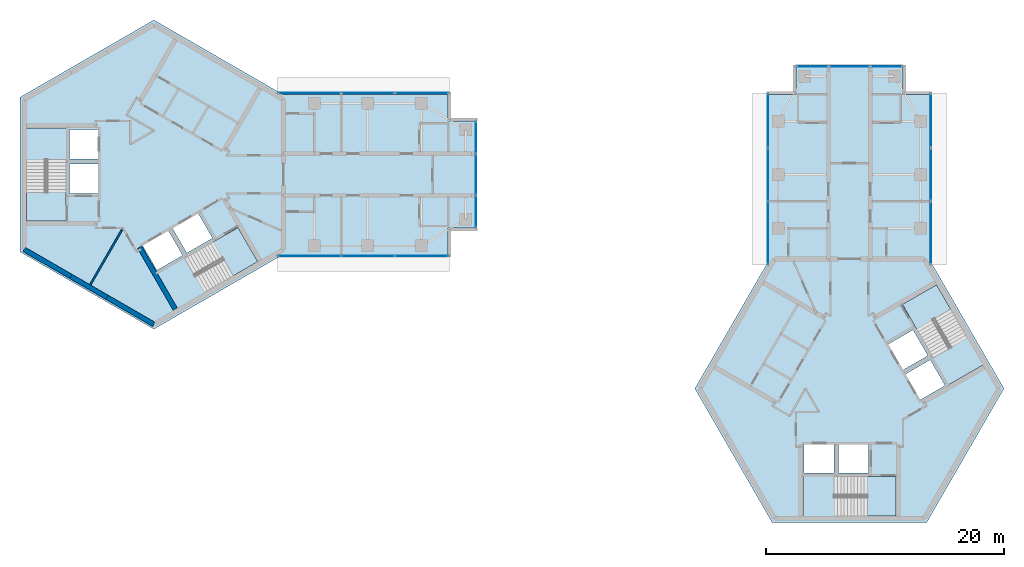
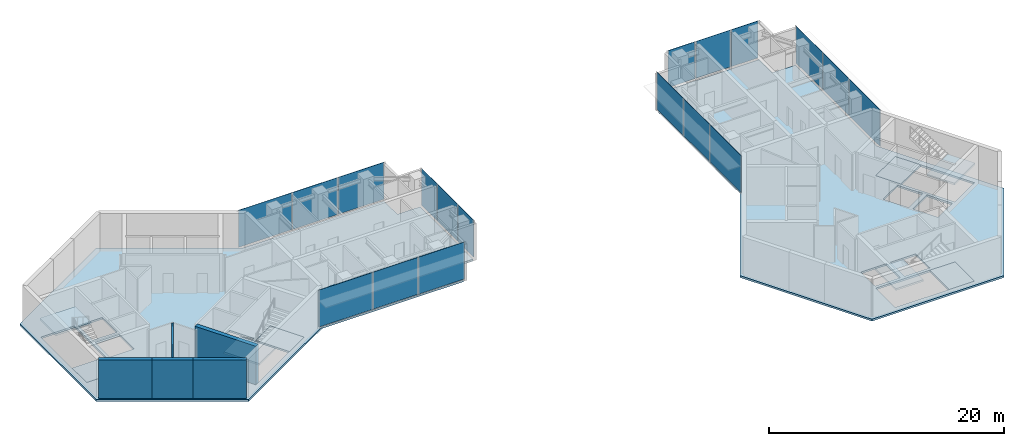
# One storey, part 4 of 11: 18 plates, 10 slabs, 5 walls, 10 elements without a shape of their own.
"""IFC4 building model written with IfcOpenShell, lengths in metres."""

from ifc_helpers import new_model, si_unit, direction, frame, frame_2d, origin, origin_2d, place, context, subcontext, project, spatial, polyline, rectangle, outline, extrude, material, layer, layer_set, type_object, element, aggregate, save


model = new_model("IFC4")

# Units and contexts
model_context = context("Model", 3, precision=1e-05, world=origin(), true_north=direction((0.0, 1.0)))
body_context = subcontext(model_context, "Body", "Model", "MODEL_VIEW")
ifc_project = project(units=[si_unit("LENGTHUNIT", "METRE"), si_unit("AREAUNIT", "SQUARE_METRE"), si_unit("VOLUMEUNIT", "CUBIC_METRE"), si_unit("PLANEANGLEUNIT", "RADIAN"), si_unit("MASSUNIT", "GRAM", prefix="KILO")], contexts=[model_context])

# Site, building, storey
site_placement = place(None, origin())
site = spatial("IfcSite", under=ifc_project, at=site_placement, CompositionType="ELEMENT")
building_placement = place(site_placement, origin())
building = spatial("IfcBuilding", under=site, at=building_placement, Name="Upepo Twin Towers", CompositionType="ELEMENT")
storey_placement = place(building_placement, frame((0.0, 0.0, 251.5)))
storey = spatial("IfcBuildingStorey", under=building, at=storey_placement, Name="L61", CompositionType="ELEMENT", Elevation=251.5)

# Curtain wall, plates
ifc_material_1 = material(Name="Aluminium and fritted glass", Category="aluminium")
curtain_wall_type = type_object("IfcCurtainWallType", Name="Tower curtain wall TW4, fritted glass", PredefinedType="NOTDEFINED", material=ifc_material_1)
curtain_wall_1_placement = place(storey_placement, origin())
curtain_wall_1 = element("IfcCurtainWall", 1, at=curtain_wall_1_placement, inside=storey, type_object=curtain_wall_type, Name="T1 L61 wing A flank L curtain wall", PredefinedType="NOTDEFINED")
ifc_material_2 = material(Name="Ceramic-fritted laminated glass", Category="glass")
ifc_layer_1 = layer(ifc_material_2, 0.031982421875)
ifc_layer_set_1 = layer_set([ifc_layer_1], Name="Fritted glass panel, 65 per cent dot frit, 32 mm double glazed")
plate_type_1 = type_object("IfcPlateType", Name="Fritted glass panel, 65 per cent dot frit, 32 mm double glazed", PredefinedType="CURTAIN_PANEL", material=ifc_layer_set_1)
plate_1_placement = place(storey_placement, frame((13.084716796875, 6.85009765625, 0.14990234375), z_axis=(0.0, 0.0, 1.0), x_axis=(1.0, 0.0, 0.0)))
plate_1 = element("IfcPlate", 2, at=plate_1_placement, type_object=plate_type_1, Name="T1 L61 wing A flank L curtain wall panel 1", PredefinedType="CURTAIN_PANEL", context=body_context, shape_type="SweptSolid", body=[
    extrude(rectangle(XDim=5.265380859375, YDim=0.031982421875, at=origin_2d()), origin(), (0.0, 0.0, 1.0), 3.85009765625),
])
plate_2_placement = place(storey_placement, frame((18.0, 6.85009765625, 0.14990234375), z_axis=(0.0, 0.0, 1.0), x_axis=(1.0, 0.0, 0.0)))
plate_2 = element("IfcPlate", 3, at=plate_2_placement, type_object=plate_type_1, Name="T1 L61 wing A flank L curtain wall panel 2", PredefinedType="CURTAIN_PANEL", context=body_context, shape_type="SweptSolid", body=[
    extrude(rectangle(XDim=4.43505859375, YDim=0.031982421875, at=origin_2d()), origin(), (0.0, 0.0, 1.0), 3.85009765625),
])
plate_3_placement = place(storey_placement, frame((22.53369140625, 6.85009765625, 0.14990234375), z_axis=(0.0, 0.0, 1.0), x_axis=(1.0, 0.0, 0.0)))
plate_3 = element("IfcPlate", 4, at=plate_3_placement, type_object=plate_type_1, Name="T1 L61 wing A flank L curtain wall panel 3", PredefinedType="CURTAIN_PANEL", context=body_context, shape_type="SweptSolid", body=[
    extrude(rectangle(XDim=4.50244140625, YDim=0.031982421875, at=origin_2d()), origin(), (0.0, 0.0, 1.0), 3.85009765625),
])
aggregate(curtain_wall_1, [plate_1, plate_2, plate_3])

curtain_wall_2_placement = place(storey_placement, origin())
curtain_wall_2 = element("IfcCurtainWall", 5, at=curtain_wall_2_placement, inside=storey, type_object=curtain_wall_type, Name="T1 L61 wing A flank R curtain wall", PredefinedType="NOTDEFINED")
plate_4_placement = place(storey_placement, frame((22.53369140625, -6.85009765625, 0.14990234375), z_axis=(0.0, 0.0, 1.0), x_axis=(-1.0, 0.0, 0.0)))
plate_4 = element("IfcPlate", 6, at=plate_4_placement, type_object=plate_type_1, Name="T1 L61 wing A flank R curtain wall panel 1", PredefinedType="CURTAIN_PANEL", context=body_context, shape_type="SweptSolid", body=[
    extrude(rectangle(XDim=4.50244140625, YDim=0.031982421875, at=origin_2d()), origin(), (0.0, 0.0, 1.0), 3.85009765625),
])
plate_5_placement = place(storey_placement, frame((18.0, -6.85009765625, 0.14990234375), z_axis=(0.0, 0.0, 1.0), x_axis=(-1.0, 0.0, 0.0)))
plate_5 = element("IfcPlate", 7, at=plate_5_placement, type_object=plate_type_1, Name="T1 L61 wing A flank R curtain wall panel 2", PredefinedType="CURTAIN_PANEL", context=body_context, shape_type="SweptSolid", body=[
    extrude(rectangle(XDim=4.43505859375, YDim=0.031982421875, at=origin_2d()), origin(), (0.0, 0.0, 1.0), 3.85009765625),
])
plate_6_placement = place(storey_placement, frame((13.084716796875, -6.85009765625, 0.14990234375), z_axis=(0.0, 0.0, 1.0), x_axis=(-1.0, 0.0, 0.0)))
plate_6 = element("IfcPlate", 8, at=plate_6_placement, type_object=plate_type_1, Name="T1 L61 wing A flank R curtain wall panel 3", PredefinedType="CURTAIN_PANEL", context=body_context, shape_type="SweptSolid", body=[
    extrude(rectangle(XDim=5.265380859375, YDim=0.031982421875, at=origin_2d()), origin(), (0.0, 0.0, 1.0), 3.85009765625),
])
aggregate(curtain_wall_2, [plate_4, plate_5, plate_6])

# Curtain wall, plate
curtain_wall_3_placement = place(storey_placement, origin())
curtain_wall_3 = element("IfcCurtainWall", 9, at=curtain_wall_3_placement, inside=storey, type_object=curtain_wall_type, Name="T1 L61 wing A nose curtain wall", PredefinedType="NOTDEFINED")
plate_7_placement = place(storey_placement, frame((27.10009765625, 0.0, 0.14990234375), z_axis=(0.0, 0.0, 1.0), x_axis=(0.0, 1.0, 0.0)))
plate_7 = element("IfcPlate", 10, at=plate_7_placement, type_object=plate_type_1, Name="T1 L61 wing A nose curtain wall panel 2", PredefinedType="CURTAIN_PANEL", context=body_context, shape_type="SweptSolid", body=[
    extrude(rectangle(XDim=3.43505859375, YDim=0.031982421875, at=origin_2d()), origin(), (0.0, 0.0, 1.0), 3.85009765625),
])

# Curtain wall, plates
curtain_wall_4_placement = place(storey_placement, origin())
curtain_wall_4 = element("IfcCurtainWall", 11, at=curtain_wall_4_placement, inside=storey, type_object=curtain_wall_type, Name="T2 L61 wing A flank L curtain wall", PredefinedType="NOTDEFINED")
plate_8_placement = place(storey_placement, frame((51.64990234375, -4.915283203125, 0.14990234375), z_axis=(0.0, 0.0, 1.0), x_axis=(0.0, 1.0, 0.0)))
plate_8 = element("IfcPlate", 12, at=plate_8_placement, type_object=plate_type_1, Name="T2 L61 wing A flank L curtain wall panel 1", PredefinedType="CURTAIN_PANEL", context=body_context, shape_type="SweptSolid", body=[
    extrude(rectangle(XDim=5.265380859375, YDim=0.031982421875, at=origin_2d()), origin(), (0.0, 0.0, 1.0), 3.85009765625),
])
plate_9_placement = place(storey_placement, frame((51.64990234375, 0.0, 0.14990234375), z_axis=(0.0, 0.0, 1.0), x_axis=(0.0, 1.0, 0.0)))
plate_9 = element("IfcPlate", 13, at=plate_9_placement, type_object=plate_type_1, Name="T2 L61 wing A flank L curtain wall panel 2", PredefinedType="CURTAIN_PANEL", context=body_context, shape_type="SweptSolid", body=[
    extrude(rectangle(XDim=4.43505859375, YDim=0.031982421875, at=origin_2d()), origin(), (0.0, 0.0, 1.0), 3.85009765625),
])
plate_10_placement = place(storey_placement, frame((51.64990234375, 4.53369140625, 0.14990234375), z_axis=(0.0, 0.0, 1.0), x_axis=(0.0, 1.0, 0.0)))
plate_10 = element("IfcPlate", 14, at=plate_10_placement, type_object=plate_type_1, Name="T2 L61 wing A flank L curtain wall panel 3", PredefinedType="CURTAIN_PANEL", context=body_context, shape_type="SweptSolid", body=[
    extrude(rectangle(XDim=4.50244140625, YDim=0.031982421875, at=origin_2d()), origin(), (0.0, 0.0, 1.0), 3.85009765625),
])
aggregate(curtain_wall_4, [plate_8, plate_9, plate_10])

curtain_wall_5_placement = place(storey_placement, origin())
curtain_wall_5 = element("IfcCurtainWall", 15, at=curtain_wall_5_placement, inside=storey, type_object=curtain_wall_type, Name="T2 L61 wing A flank R curtain wall", PredefinedType="NOTDEFINED")
plate_11_placement = place(storey_placement, frame((65.35009765625, 4.53369140625, 0.14990234375), z_axis=(0.0, 0.0, 1.0), x_axis=(0.0, -1.0, 0.0)))
plate_11 = element("IfcPlate", 16, at=plate_11_placement, type_object=plate_type_1, Name="T2 L61 wing A flank R curtain wall panel 1", PredefinedType="CURTAIN_PANEL", context=body_context, shape_type="SweptSolid", body=[
    extrude(rectangle(XDim=4.50244140625, YDim=0.031982421875, at=origin_2d()), origin(), (0.0, 0.0, 1.0), 3.85009765625),
])
plate_12_placement = place(storey_placement, frame((65.35009765625, 0.0, 0.14990234375), z_axis=(0.0, 0.0, 1.0), x_axis=(0.0, -1.0, 0.0)))
plate_12 = element("IfcPlate", 17, at=plate_12_placement, type_object=plate_type_1, Name="T2 L61 wing A flank R curtain wall panel 2", PredefinedType="CURTAIN_PANEL", context=body_context, shape_type="SweptSolid", body=[
    extrude(rectangle(XDim=4.43505859375, YDim=0.031982421875, at=origin_2d()), origin(), (0.0, 0.0, 1.0), 3.85009765625),
])
plate_13_placement = place(storey_placement, frame((65.35009765625, -4.915283203125, 0.14990234375), z_axis=(0.0, 0.0, 1.0), x_axis=(0.0, -1.0, 0.0)))
plate_13 = element("IfcPlate", 18, at=plate_13_placement, type_object=plate_type_1, Name="T2 L61 wing A flank R curtain wall panel 3", PredefinedType="CURTAIN_PANEL", context=body_context, shape_type="SweptSolid", body=[
    extrude(rectangle(XDim=5.265380859375, YDim=0.031982421875, at=origin_2d()), origin(), (0.0, 0.0, 1.0), 3.85009765625),
])
aggregate(curtain_wall_5, [plate_11, plate_12, plate_13])

# Curtain wall, plate
curtain_wall_6_placement = place(storey_placement, origin())
curtain_wall_6 = element("IfcCurtainWall", 19, at=curtain_wall_6_placement, inside=storey, type_object=curtain_wall_type, Name="T2 L61 wing A nose curtain wall", PredefinedType="NOTDEFINED")
plate_14_placement = place(storey_placement, frame((58.5, 9.10009765625, 0.14990234375), z_axis=(0.0, 0.0, 1.0), x_axis=(-1.0, 0.0, 0.0)))
plate_14 = element("IfcPlate", 20, at=plate_14_placement, type_object=plate_type_1, Name="T2 L61 wing A nose curtain wall panel 2", PredefinedType="CURTAIN_PANEL", context=body_context, shape_type="SweptSolid", body=[
    extrude(rectangle(XDim=3.43505859375, YDim=0.031982421875, at=origin_2d()), origin(), (0.0, 0.0, 1.0), 3.85009765625),
])

# Plate
ifc_material_3 = material(Name="Clear laminated glass in opening sash", Category="glass")
ifc_layer_2 = layer(ifc_material_3, 0.031982421875)
ifc_layer_set_2 = layer_set([ifc_layer_2], Name="Operable glass panel, 32 mm double glazed")
plate_type_2 = type_object("IfcPlateType", Name="Operable glass panel, 32 mm double glazed", PredefinedType="CURTAIN_PANEL", material=ifc_layer_set_2)
plate_15_placement = place(storey_placement, frame((27.10009765625, -3.108642578125, 0.14990234375), z_axis=(0.0, 0.0, 1.0), x_axis=(0.0, 1.0, 0.0)))
plate_15 = element("IfcPlate", 21, at=plate_15_placement, type_object=plate_type_2, Name="T1 L61 wing A nose curtain wall panel 1", PredefinedType="CURTAIN_PANEL", context=body_context, shape_type="SweptSolid", body=[
    extrude(rectangle(XDim=2.652587890625, YDim=0.031982421875, at=origin_2d()), origin(), (0.0, 0.0, 1.0), 3.85009765625),
])

plate_16_placement = place(storey_placement, frame((27.10009765625, 3.108642578125, 0.14990234375), z_axis=(0.0, 0.0, 1.0), x_axis=(0.0, 1.0, 0.0)))
plate_16 = element("IfcPlate", 22, at=plate_16_placement, type_object=plate_type_2, Name="T1 L61 wing A nose curtain wall panel 3", PredefinedType="CURTAIN_PANEL", context=body_context, shape_type="SweptSolid", body=[
    extrude(rectangle(XDim=2.652587890625, YDim=0.031982421875, at=origin_2d()), origin(), (0.0, 0.0, 1.0), 3.85009765625),
])

aggregate(curtain_wall_3, [plate_15, plate_7, plate_16])

plate_17_placement = place(storey_placement, frame((61.608642578125, 9.10009765625, 0.14990234375), z_axis=(0.0, 0.0, 1.0), x_axis=(-1.0, 0.0, 0.0)))
plate_17 = element("IfcPlate", 23, at=plate_17_placement, type_object=plate_type_2, Name="T2 L61 wing A nose curtain wall panel 1", PredefinedType="CURTAIN_PANEL", context=body_context, shape_type="SweptSolid", body=[
    extrude(rectangle(XDim=2.652587890625, YDim=0.031982421875, at=origin_2d()), origin(), (0.0, 0.0, 1.0), 3.85009765625),
])

plate_18_placement = place(storey_placement, frame((55.391357421875, 9.10009765625, 0.14990234375), z_axis=(0.0, 0.0, 1.0), x_axis=(-1.0, 0.0, 0.0)))
plate_18 = element("IfcPlate", 24, at=plate_18_placement, type_object=plate_type_2, Name="T2 L61 wing A nose curtain wall panel 3", PredefinedType="CURTAIN_PANEL", context=body_context, shape_type="SweptSolid", body=[
    extrude(rectangle(XDim=2.652587890625, YDim=0.031982421875, at=origin_2d()), origin(), (0.0, 0.0, 1.0), 3.85009765625),
])

aggregate(curtain_wall_6, [plate_17, plate_14, plate_18])

# Stair, slabs
ifc_material_4 = material(Name="Concrete C40/50", Category="concrete")
stair_type = type_object("IfcStairType", Name="Core stair, two flights", PredefinedType="HALF_TURN_STAIR", material=ifc_material_4)
stair_1_placement = place(storey_placement, origin())
stair_1 = element("IfcStair", 25, at=stair_1_placement, inside=storey, type_object=stair_type, Name="T1 stair S1 L61", PredefinedType="HALF_TURN_STAIR")
ifc_material_5 = material(Name="Concrete C40/50", Category="concrete")
ifc_layer_3 = layer(ifc_material_5, 0.199951171875)
ifc_layer_set_3 = layer_set([ifc_layer_3], Name="Concrete C40/50")
slab_type_1 = type_object("IfcSlabType", Name="Stair landing 200 RC", PredefinedType="LANDING", material=ifc_layer_set_3)
slab_1_placement = place(storey_placement, frame((0.0, 0.0, -0.199951171875)))
slab_1 = element("IfcSlab", 26, at=slab_1_placement, type_object=slab_type_1, Name="Stair S1 landing 1", PredefinedType="LANDING", context=body_context, shape_type="SweptSolid", body=[
    extrude(outline(polyline([(-7.39990234375, -1.419921875), (-10.708251953125, -1.419921875), (-10.708251953125, -3.89990234375), (-7.39990234375, -3.89990234375), (-7.39990234375, -1.419921875)])), origin(), (0.0, 0.0, 1.0), 0.199951171875),
])
slab_2_placement = place(storey_placement, frame((0.0, 0.0, 1.800048828125)))
slab_2 = element("IfcSlab", 27, at=slab_2_placement, type_object=slab_type_1, Name="Stair S1 landing 2", PredefinedType="LANDING", context=body_context, shape_type="SweptSolid", body=[
    extrude(outline(polyline([(-7.300048828125, 3.89990234375), (-10.808349609375, 3.89990234375), (-10.808349609375, 1.179931640625), (-7.300048828125, 1.179931640625), (-7.300048828125, 3.89990234375)])), origin(), (0.0, 0.0, 1.0), 0.199951171875),
])
aggregate(stair_1, [slab_1, slab_2])

stair_2_placement = place(storey_placement, origin())
stair_2 = element("IfcStair", 28, at=stair_2_placement, inside=storey, type_object=stair_type, Name="T1 stair S2 L61", PredefinedType="HALF_TURN_STAIR")
slab_3_placement = place(storey_placement, frame((0.0, 0.0, -0.199951171875)))
slab_3 = element("IfcSlab", 29, at=slab_3_placement, type_object=slab_type_1, Name="Stair S2 landing 1", PredefinedType="LANDING", context=body_context, shape_type="SweptSolid", body=[
    extrude(outline(polyline([(4.9296875, -5.698486328125), (6.583984375, -8.563720703125), (8.731689453125, -7.32373046875), (7.077392578125, -4.45849609375), (4.9296875, -5.698486328125)])), origin(), (0.0, 0.0, 1.0), 0.199951171875),
])
slab_4_placement = place(storey_placement, frame((0.0, 0.0, 1.800048828125)))
slab_4 = element("IfcSlab", 30, at=slab_4_placement, type_object=slab_type_1, Name="Stair S2 landing 2", PredefinedType="LANDING", context=body_context, shape_type="SweptSolid", body=[
    extrude(outline(polyline([(0.2724609375, -8.27197265625), (2.026611328125, -11.310302734375), (4.38232421875, -9.9501953125), (2.628173828125, -6.911865234375), (0.2724609375, -8.27197265625)])), origin(), (0.0, 0.0, 1.0), 0.199951171875),
])
aggregate(stair_2, [slab_3, slab_4])

stair_3_placement = place(storey_placement, origin())
stair_3 = element("IfcStair", 31, at=stair_3_placement, inside=storey, type_object=stair_type, Name="T2 stair S1 L61", PredefinedType="HALF_TURN_STAIR")
slab_5_placement = place(storey_placement, frame((0.0, 0.0, -0.199951171875)))
slab_5 = element("IfcSlab", 32, at=slab_5_placement, type_object=slab_type_1, Name="Stair S1 landing 1", PredefinedType="LANDING", context=body_context, shape_type="SweptSolid", body=[
    extrude(outline(polyline([(59.919921875, -25.39990234375), (59.919921875, -28.708251953125), (62.39990234375, -28.708251953125), (62.39990234375, -25.39990234375), (59.919921875, -25.39990234375)])), origin(), (0.0, 0.0, 1.0), 0.199951171875),
])
slab_6_placement = place(storey_placement, frame((0.0, 0.0, 1.800048828125)))
slab_6 = element("IfcSlab", 33, at=slab_6_placement, type_object=slab_type_1, Name="Stair S1 landing 2", PredefinedType="LANDING", context=body_context, shape_type="SweptSolid", body=[
    extrude(outline(polyline([(54.60009765625, -25.300048828125), (54.60009765625, -28.808349609375), (57.320068359375, -28.808349609375), (57.320068359375, -25.300048828125), (54.60009765625, -25.300048828125)])), origin(), (0.0, 0.0, 1.0), 0.199951171875),
])
aggregate(stair_3, [slab_5, slab_6])

stair_4_placement = place(storey_placement, origin())
stair_4 = element("IfcStair", 34, at=stair_4_placement, inside=storey, type_object=stair_type, Name="T2 stair S2 L61", PredefinedType="HALF_TURN_STAIR")
slab_7_placement = place(storey_placement, frame((0.0, 0.0, -0.199951171875)))
slab_7 = element("IfcSlab", 35, at=slab_7_placement, type_object=slab_type_1, Name="Stair S2 landing 1", PredefinedType="LANDING", context=body_context, shape_type="SweptSolid", body=[
    extrude(outline(polyline([(64.198486328125, -13.0703125), (67.063720703125, -11.416015625), (65.82373046875, -9.268310546875), (62.95849609375, -10.922607421875), (64.198486328125, -13.0703125)])), origin(), (0.0, 0.0, 1.0), 0.199951171875),
])
slab_8_placement = place(storey_placement, frame((0.0, 0.0, 1.800048828125)))
slab_8 = element("IfcSlab", 36, at=slab_8_placement, type_object=slab_type_1, Name="Stair S2 landing 2", PredefinedType="LANDING", context=body_context, shape_type="SweptSolid", body=[
    extrude(outline(polyline([(66.77197265625, -17.7275390625), (69.810302734375, -15.973388671875), (68.4501953125, -13.61767578125), (65.411865234375, -15.371826171875), (66.77197265625, -17.7275390625)])), origin(), (0.0, 0.0, 1.0), 0.199951171875),
])
aggregate(stair_4, [slab_7, slab_8])

# Slabs
ifc_material_6 = material(Name="Concrete C40/50", Category="concrete")
ifc_layer_4 = layer(ifc_material_6, 0.199951171875)
ifc_layer_set_4 = layer_set([ifc_layer_4], Name="Concrete C40/50")
slab_type_2 = type_object("IfcSlabType", Name="Tower floor slab 200 RC", PredefinedType="FLOOR", material=ifc_layer_set_4)
slab_9_placement = place(storey_placement, frame((0.0, 0.0, -0.199951171875)))
element("IfcSlab", 37, at=slab_9_placement, inside=storey, type_object=slab_type_2, Name="T1 L61 floor slab", PredefinedType="FLOOR", context=body_context, shape_type="SweptSolid", body=[
    extrude(outline(polyline([(0.0, -13.0), (-11.25830078125, -6.5), (-11.25830078125, 6.5), (0.0, 13.0), (10.825439453125, 6.75), (24.75, 6.75), (24.75, 4.5), (27.0, 4.5), (27.0, -4.5), (24.75, -4.5), (24.75, -6.75), (10.825439453125, -6.75), (0.0, -13.0)]), holes=[polyline([(-4.699951171875, 3.800048828125), (-7.10009765625, 3.800048828125), (-7.10009765625, 1.300048828125), (-4.699951171875, 1.300048828125), (-4.699951171875, 3.800048828125)]), polyline([(-4.699951171875, 0.89990234375), (-7.10009765625, 0.89990234375), (-7.10009765625, -1.60009765625), (-4.699951171875, -1.60009765625), (-4.699951171875, 0.89990234375)]), polyline([(-7.39990234375, 3.89990234375), (-10.708251953125, 3.89990234375), (-10.708251953125, -3.89990234375), (-7.39990234375, -3.89990234375), (-7.39990234375, 3.89990234375)]), polyline([(-0.94091796875, -5.97021484375), (0.259033203125, -8.048828125), (2.424072265625, -6.798828125), (1.22412109375, -4.72021484375), (-0.94091796875, -5.97021484375)]), polyline([(1.570556640625, -4.520263671875), (2.7705078125, -6.598876953125), (4.935546875, -5.348876953125), (3.735595703125, -3.270263671875), (1.570556640625, -4.520263671875)]), polyline([(0.322509765625, -8.358642578125), (1.9765625, -11.2236328125), (8.731689453125, -7.32373046875), (7.077392578125, -4.45849609375), (0.322509765625, -8.358642578125)])]), origin(), (0.0, 0.0, 1.0), 0.199951171875),
])
slab_10_placement = place(storey_placement, frame((0.0, 0.0, -0.199951171875)))
element("IfcSlab", 38, at=slab_10_placement, inside=storey, type_object=slab_type_2, Name="T2 L61 floor slab", PredefinedType="FLOOR", context=body_context, shape_type="SweptSolid", body=[
    extrude(outline(polyline([(71.5, -18.0), (65.0, -29.25830078125), (52.0, -29.25830078125), (45.5, -18.0), (51.75, -7.174560546875), (51.75, 6.75), (54.0, 6.75), (54.0, 9.0), (63.0, 9.0), (63.0, 6.75), (65.25, 6.75), (65.25, -7.174560546875), (71.5, -18.0)]), holes=[polyline([(54.699951171875, -22.699951171875), (54.699951171875, -25.10009765625), (57.199951171875, -25.10009765625), (57.199951171875, -22.699951171875), (54.699951171875, -22.699951171875)]), polyline([(57.60009765625, -22.699951171875), (57.60009765625, -25.10009765625), (60.10009765625, -25.10009765625), (60.10009765625, -22.699951171875), (57.60009765625, -22.699951171875)]), polyline([(54.60009765625, -25.39990234375), (54.60009765625, -28.708251953125), (62.39990234375, -28.708251953125), (62.39990234375, -25.39990234375), (54.60009765625, -25.39990234375)]), polyline([(64.47021484375, -18.94091796875), (66.548828125, -17.740966796875), (65.298828125, -15.575927734375), (63.22021484375, -16.77587890625), (64.47021484375, -18.94091796875)]), polyline([(63.020263671875, -16.429443359375), (65.098876953125, -15.2294921875), (63.848876953125, -13.064453125), (61.770263671875, -14.264404296875), (63.020263671875, -16.429443359375)]), polyline([(66.858642578125, -17.677490234375), (69.7236328125, -16.0234375), (65.82373046875, -9.268310546875), (62.95849609375, -10.922607421875), (66.858642578125, -17.677490234375)])]), origin(), (0.0, 0.0, 1.0), 0.199951171875),
])

# Walls
ifc_material_7 = material(Name="Concrete C60/75", Category="concrete")
ifc_layer_5 = layer(ifc_material_7, 0.39990234375)
ifc_layer_set_5 = layer_set([ifc_layer_5], Name="Concrete C60/75")
wall_type_1 = type_object("IfcWallType", Name="Core wall 400 RC", PredefinedType="SHEAR", material=ifc_layer_set_5)
wall_1_placement = place(storey_placement, frame((-10.908447265625, -6.2978515625, 0.0), z_axis=(0.0, 0.0, 1.0), x_axis=(0.866034513004, -0.499984222037, 0.0)))
element("IfcWall", 39, at=wall_1_placement, inside=storey, type_object=wall_type_1, Name="T1 core wall 240 R", PredefinedType="SHEAR", context=body_context, shape_type="SweptSolid", body=[
    extrude(rectangle(XDim=4.548095703125, YDim=0.39990234375, at=frame_2d((2.27392578125, 0.0))), origin(), (0.0, 0.0, 1.0), 4.0),
])
wall_2_placement = place(storey_placement, frame((-6.9697265625, -8.57177734375, 0.0), z_axis=(0.0, 0.0, 1.0), x_axis=(0.866019471182, -0.500010275428, 0.0)))
element("IfcWall", 40, at=wall_2_placement, inside=storey, type_object=wall_type_1, Name="T1 core wall 240", PredefinedType="SHEAR", context=body_context, shape_type="SweptSolid", body=[
    extrude(rectangle(XDim=3.5, YDim=0.39990234375, at=frame_2d((1.75, 0.0))), origin(), (0.0, 0.0, 1.0), 4.0),
])
wall_3_placement = place(storey_placement, frame((-3.938720703125, -10.32177734375, 0.0), z_axis=(0.0, 0.0, 1.0), x_axis=(0.866011268655, -0.500024481964, 0.0)))
element("IfcWall", 41, at=wall_3_placement, inside=storey, type_object=wall_type_1, Name="T1 core wall 240 L", PredefinedType="SHEAR", context=body_context, shape_type="SweptSolid", body=[
    extrude(rectangle(XDim=4.548095703125, YDim=0.39990234375, at=frame_2d((2.27392578125, 0.0))), origin(), (0.0, 0.0, 1.0), 4.0),
])
ifc_material_8 = material(Name="Concrete C40/50", Category="concrete")
ifc_layer_6 = layer(ifc_material_8, 0.39990234375)
ifc_layer_set_6 = layer_set([ifc_layer_6], Name="Concrete C40/50")
wall_type_2 = type_object("IfcWallType", Name="Shaft wall 400 RC", PredefinedType="SHEAR", material=ifc_layer_set_6)
wall_4_placement = place(storey_placement, frame((-1.20068359375, -6.120361328125, 0.0), z_axis=(0.0, 0.0, 1.0), x_axis=(0.499997979876, -0.866026570101, 0.0)))
element("IfcWall", 42, at=wall_4_placement, inside=storey, type_object=wall_type_2, Name="T1 core W300 side wall S", PredefinedType="SHEAR", context=body_context, shape_type="SweptSolid", body=[
    extrude(rectangle(XDim=6.00830078125, YDim=0.39990234375, at=frame_2d((3.004150390625, 0.0))), origin(), (0.0, 0.0, 1.0), 4.0),
])
ifc_material_9 = material(Name="Gypsum board on steel studs", Category="steel")
ifc_layer_7 = layer(ifc_material_9, 0.14990234375)
ifc_layer_set_7 = layer_set([ifc_layer_7], Name="Teaching partition 150 acoustic")
wall_type_3 = type_object("IfcWallType", Name="Teaching partition 150 acoustic", PredefinedType="PARTITIONING", material=ifc_layer_set_7)
wall_5_placement = place(storey_placement, frame((-2.641357421875, -4.574951171875, 0.0), z_axis=(0.0, 0.0, 1.0), x_axis=(-0.500010688608, -0.866019232626, 0.0)))
element("IfcWall", 43, at=wall_5_placement, inside=storey, type_object=wall_type_3, Name="T1 core room partition 18", PredefinedType="PARTITIONING", context=body_context, shape_type="SweptSolid", body=[
    extrude(rectangle(XDim=5.42578125, YDim=0.14990234375, at=frame_2d((2.712890625, 0.0))), origin(), (0.0, 0.0, 1.0), 3.800048828125),
])

save(model, "model.ifc")
